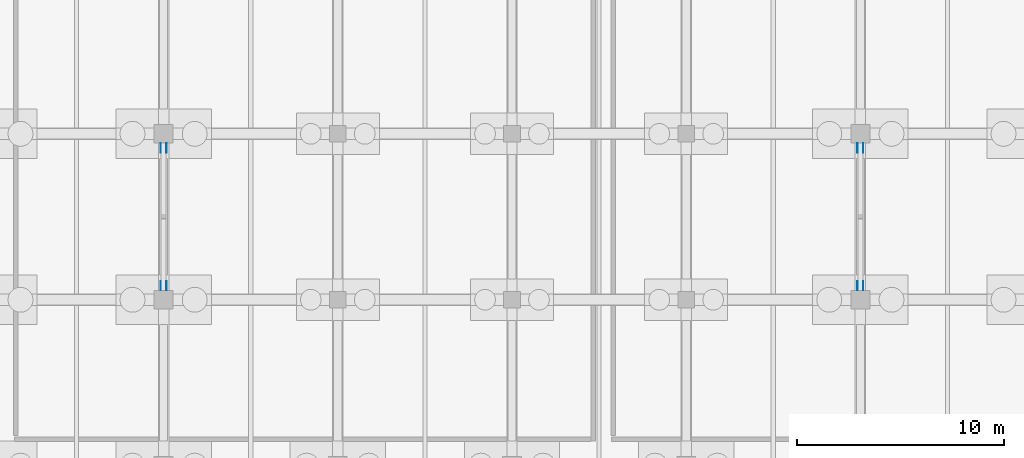
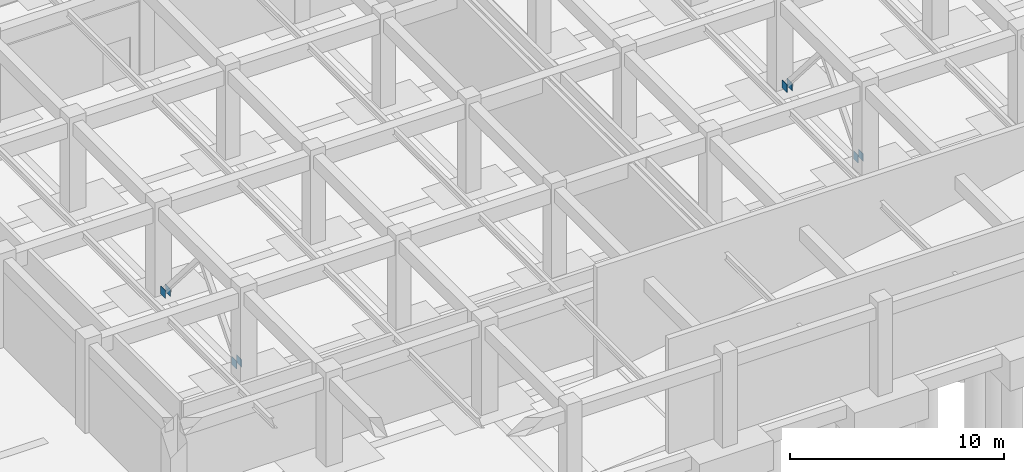
# One storey, part 48 of 56: 8 discrete accessories.
"""IFC4 building model written with IfcOpenShell, lengths in metres."""

from ifc_helpers import new_model, si_unit, direction, frame, origin, origin_2d, place, context, subcontext, project, spatial, rectangle, extrude, material, layer, layer_set, type_object, element, save


model = new_model("IFC4")

# Units and contexts
model_context = context("Model", 3, precision=1e-05, world=origin(), true_north=direction((0.0, 1.0)))
body_context = subcontext(model_context, "Body", "Model", "MODEL_VIEW")
ifc_project = project(units=[si_unit("LENGTHUNIT", "METRE"), si_unit("AREAUNIT", "SQUARE_METRE"), si_unit("VOLUMEUNIT", "CUBIC_METRE"), si_unit("PLANEANGLEUNIT", "RADIAN"), si_unit("MASSUNIT", "GRAM", prefix="KILO")], contexts=[model_context])

# Site, building, storey
site_placement = place(None, origin())
site = spatial("IfcSite", under=ifc_project, at=site_placement, CompositionType="ELEMENT")
building_placement = place(site_placement, origin())
building = spatial("IfcBuilding", under=site, at=building_placement, Name="Naruveol Harbour Congress Hotel", CompositionType="ELEMENT")
storey_placement = place(building_placement, frame((0.0, 0.0, -5.39990234375)))
storey = spatial("IfcBuildingStorey", under=building, at=storey_placement, Name="B01", CompositionType="ELEMENT", Elevation=-5.39990234375)

# Discrete accessories
ifc_material = material(Name="Steel SN490", Category="steel")
ifc_layer = layer(ifc_material, 0.02001953125)
ifc_layer_set = layer_set([ifc_layer], Name="Steel SN490")
discrete_accessory_type = type_object("IfcDiscreteAccessoryType", Name="STEEL BRACE GUSSET PLATE 20", PredefinedType="USERDEFINED", material=ifc_layer_set)
for number, where, z_axis, x_axis, name in (
    (1, (75.465087890625, 80.675048828125, 0.10986328125), (0.0, 0.0, 1.0), (0.0, 1.0, 0.0), "Brace gusset plate Lateral chevron brace B01 #3A (A)"),
    (2, (75.735107421875, 80.675048828125, 0.10986328125), (0.0, 0.0, 1.0), (0.0, 1.0, 0.0), "Brace gusset plate Lateral chevron brace B01 #3A (B)"),
    (3, (75.735107421875, 87.324951171875, 0.10986328125), (0.0, 0.0, 1.0), (0.0, -1.0, 0.0), "Brace gusset plate Lateral chevron brace B01 #3B (A)"),
    (4, (75.465087890625, 87.324951171875, 0.10986328125), (0.0, 0.0, 1.0), (0.0, -1.0, 0.0), "Brace gusset plate Lateral chevron brace B01 #3B (B)"),
    (5, (109.06494140625, 80.675048828125, 0.10986328125), (0.0, 0.0, 1.0), (0.0, 1.0, 0.0), "Brace gusset plate Lateral chevron brace B01 #4A (A)"),
    (6, (109.3349609375, 80.675048828125, 0.10986328125), (0.0, 0.0, 1.0), (0.0, 1.0, 0.0), "Brace gusset plate Lateral chevron brace B01 #4A (B)"),
    (7, (109.3349609375, 87.324951171875, 0.10986328125), (0.0, 0.0, 1.0), (0.0, -1.0, 0.0), "Brace gusset plate Lateral chevron brace B01 #4B (A)"),
    (8, (109.06494140625, 87.324951171875, 0.10986328125), (0.0, 0.0, 1.0), (0.0, -1.0, 0.0), "Brace gusset plate Lateral chevron brace B01 #4B (B)"),
):
    element("IfcDiscreteAccessory", number, at=place(storey_placement, frame(where, z_axis=z_axis, x_axis=x_axis)), inside=storey, type_object=discrete_accessory_type, Name=name, ObjectType="BRACE GUSSET PLATE", PredefinedType="USERDEFINED", context=body_context, shape_type="SweptSolid", body=[
        extrude(rectangle(XDim=0.449951171875, YDim=0.02001953125, at=origin_2d()), origin(), (0.0, 0.0, 1.0), 0.449951171875),
    ])

save(model, "model.ifc")
